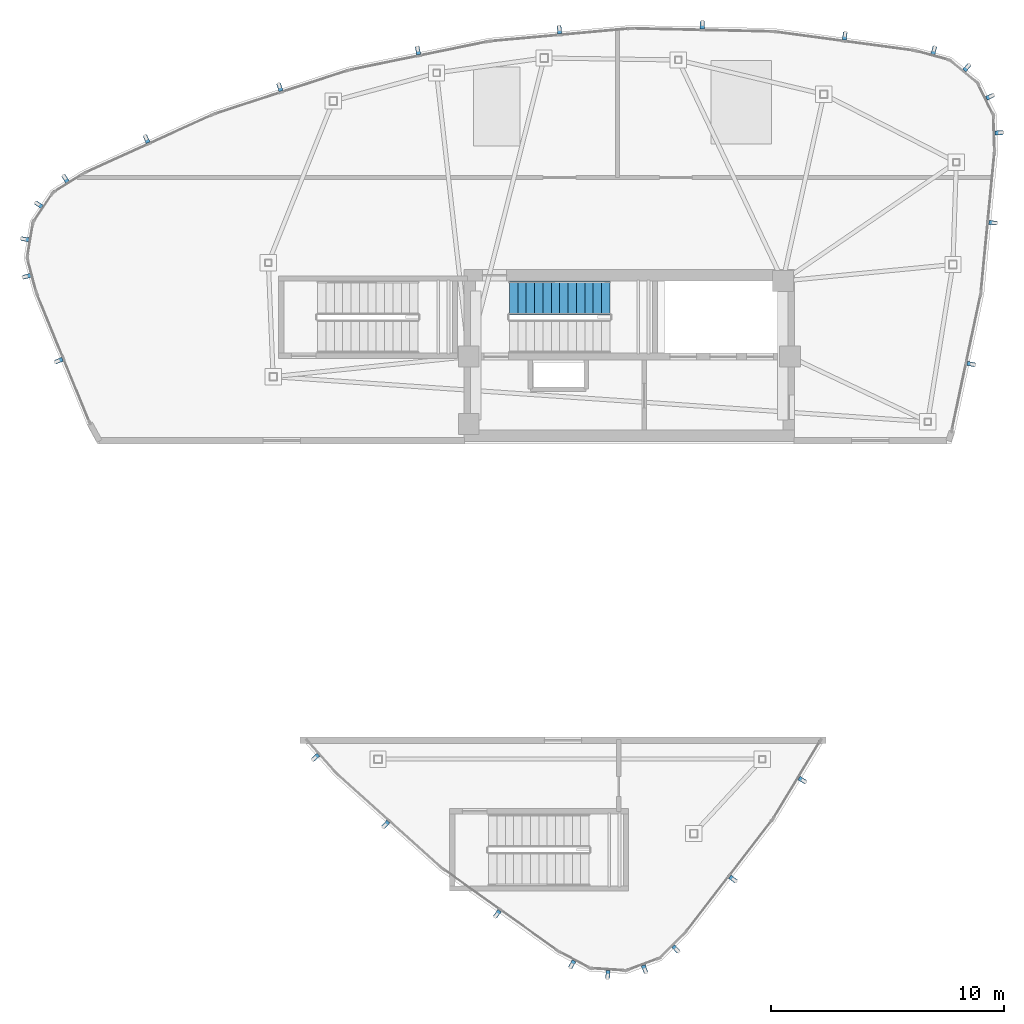
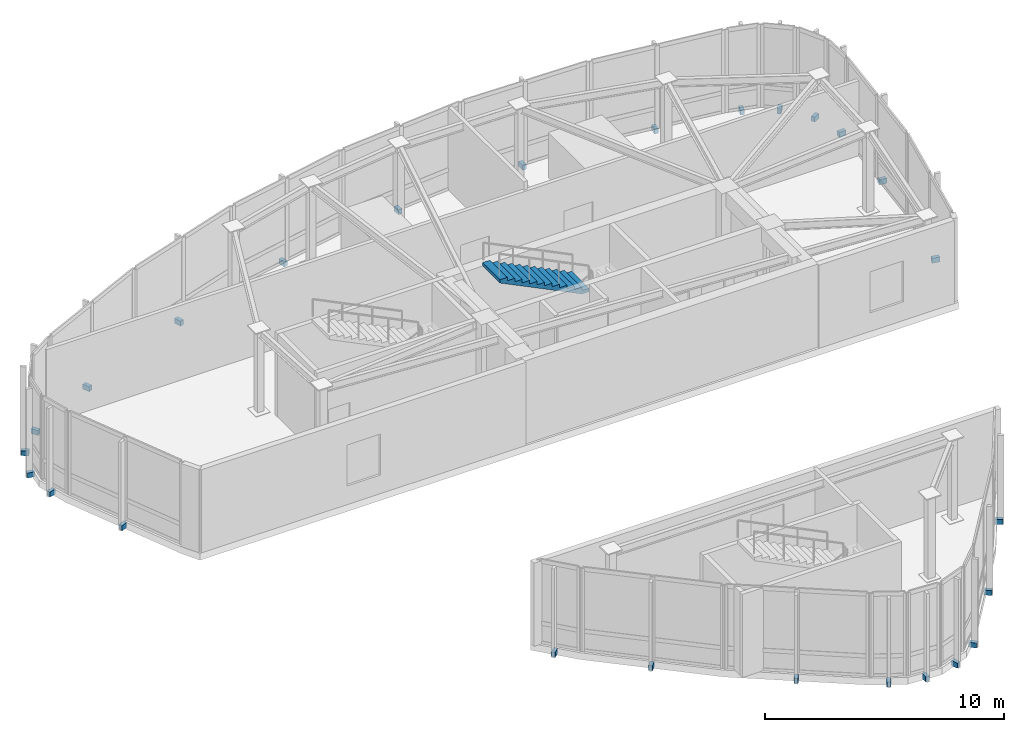
# One storey, part 12 of 16: 26 discrete accessories, 1 stair flight, 1 element without a shape of its own.
"""IFC4 building model written with IfcOpenShell, lengths in metres."""

from ifc_helpers import new_model, si_unit, direction, frame, origin, origin_2d, place, context, subcontext, project, spatial, polyline, rectangle, outline, extrude, source, transform, mapped, material, type_object, type_shapes, element, aggregate, save


model = new_model("IFC4")

# Units and contexts
model_context = context("Model", 3, precision=1e-05, world=origin(), true_north=direction((0.0, 1.0)))
body_context = subcontext(model_context, "Body", "Model", "MODEL_VIEW")
ifc_project = project(units=[si_unit("LENGTHUNIT", "METRE"), si_unit("AREAUNIT", "SQUARE_METRE"), si_unit("VOLUMEUNIT", "CUBIC_METRE"), si_unit("PLANEANGLEUNIT", "RADIAN"), si_unit("MASSUNIT", "GRAM", prefix="KILO")], contexts=[model_context])

# Site, building, storey
site_placement = place(None, origin())
site = spatial("IfcSite", under=ifc_project, at=site_placement, CompositionType="ELEMENT")
building_placement = place(site_placement, origin())
building = spatial("IfcBuilding", under=site, at=building_placement, Name="Tavelor Broadcast Tower", CompositionType="ELEMENT")
storey_placement = place(building_placement, frame((0.0, 0.0, 336.699951171875)))
storey = spatial("IfcBuildingStorey", under=building, at=storey_placement, Name="L80", CompositionType="ELEMENT", Elevation=336.699951171875)

# Stair, stair flight
ifc_material_1 = material(Name="Concrete C40/50", Category="concrete")
stair_type = type_object("IfcStairType", Name="Reinforced Concrete Protected Dogleg Stair 1450 mm", PredefinedType="HALF_TURN_STAIR", material=ifc_material_1)
stair_placement = place(storey_placement, origin())
stair = element("IfcStair", 1, at=stair_placement, inside=storey, type_object=stair_type, Name="L80 Protected Core Exit Stair ST1", PredefinedType="HALF_TURN_STAIR")
stair_flight_type = type_object("IfcStairFlightType", Name="Reinforced Concrete Stair Flight 1450 mm", PredefinedType="STRAIGHT", material=ifc_material_1)
stair_flight_placement = place(storey_placement, frame((49.169921875, 50.47509765625, 2.300048828125), z_axis=(0.0, 0.0, 1.0), x_axis=(-1.0, 0.0, 0.0)))
stair_flight = element("IfcStairFlight", 2, at=stair_flight_placement, type_object=stair_flight_type, Name="ST1 flight 2", NumberOfRisers=13, NumberOfTreads=12, PredefinedType="STRAIGHT", RiserHeight=0.176923077, TreadLength=0.36, context=body_context, shape_type="SweptSolid", body=[
    extrude(outline(polyline([(0.0, 0.0), (0.0, 0.177001953125), (0.360107421875, 0.177001953125), (0.360107421875, 0.353759765625), (0.719970703125, 0.353759765625), (0.719970703125, 0.53076171875), (1.080078125, 0.53076171875), (1.080078125, 0.707763671875), (1.43994140625, 0.707763671875), (1.43994140625, 0.884521484375), (1.800048828125, 0.884521484375), (1.800048828125, 1.0615234375), (2.159912109375, 1.0615234375), (2.159912109375, 1.238525390625), (2.52001953125, 1.238525390625), (2.52001953125, 1.415283203125), (2.8798828125, 1.415283203125), (2.8798828125, 1.59228515625), (3.239990234375, 1.59228515625), (3.239990234375, 1.769287109375), (3.60009765625, 1.769287109375), (3.60009765625, 1.946044921875), (3.9599609375, 1.946044921875), (3.9599609375, 2.123046875), (4.320068359375, 2.123046875), (4.320068359375, 2.300048828125), (4.320068359375, 1.9560546875), (0.33984375, 0.0), (0.0, 0.0)])), frame((0.0, 0.72509765625, 0.0), z_axis=(0.0, -1.0, 0.0), x_axis=(1.0, 0.0, 0.0)), (0.0, 0.0, 1.0), 1.449951171875),
])
aggregate(stair, [stair_flight])

# Discrete accessories
ifc_material_2 = material(Name="Steel S355", Category="steel")
discrete_accessory_type = type_object("IfcDiscreteAccessoryType", Name="Stainless Baguette Outrigger Support Bracket 260x180", PredefinedType="BRACKET", material=ifc_material_2)
shared_shape = source(origin(), body_context, "Body", "SweptSolid", [
    extrude(rectangle(XDim=0.179931640625, YDim=0.340087890625, at=origin_2d()), origin(), (0.0, 0.0, 1.0), 0.251953125),
])
type_shapes(discrete_accessory_type, [shared_shape])
for number, where, z_axis, x_axis, name in (
    (3, (64.692626953125, 47.6298828125, -0.301025390625), (0.0, 0.0, 1.0), (0.207058016949, 0.978328665438, 0.0), "L80 Baguette Outrigger Bracket 771"),
    (4, (65.6259765625, 53.7041015625, -0.301025390625), (0.0, 0.0, 1.0), (0.096193205494, 0.995362681246, 0.0), "L80 Baguette Outrigger Bracket 772"),
    (5, (65.894775390625, 57.572998046875, -0.301025390625), (0.0, 0.0, 1.0), (-0.034027350502, 0.999420902032, 0.0), "L80 Baguette Outrigger Bracket 773"),
    (6, (65.50537109375, 59.123046875, -0.301025390625), (0.0, 0.0, 1.0), (-0.442288690219, 0.896872741533, 0.0), "L80 Baguette Outrigger Bracket 774"),
    (7, (64.5126953125, 60.37548828125, -0.301025390625), (0.0, 0.0, 1.0), (-0.772179372467, 0.635404608684, 0.0), "L80 Baguette Outrigger Bracket 775"),
    (8, (63.09228515625, 61.108642578125, -0.301025390625), (0.0, 0.0, 1.0), (-0.965244930214, 0.261346943155, 0.0), "L80 Baguette Outrigger Bracket 776"),
    (9, (59.26416015625, 61.73046875, -0.301025390625), (0.0, 0.0, 1.0), (-0.991029909341, 0.133640258869, 0.0), "L80 Baguette Outrigger Bracket 777"),
    (10, (53.1376953125, 62.208740234375, -0.301025390625), (0.0, 0.0, 1.0), (-0.99976202708, 0.021814885035, 0.0), "L80 Baguette Outrigger Bracket 778"),
    (11, (46.995849609375, 61.997802734375, -0.301025390625), (0.0, 0.0, 1.0), (-0.995915974681, -0.090284945449, 0.0), "L80 Baguette Outrigger Bracket 779"),
    (12, (40.91650390625, 61.10009765625, -0.301025390625), (0.0, 0.0, 1.0), (-0.979505000486, -0.201419845156, 0.0), "L80 Baguette Outrigger Bracket 780"),
    (13, (34.97607421875, 59.527099609375, -0.301025390625), (0.0, 0.0, 1.0), (-0.950786485994, -0.309846829984, 0.0), "L80 Baguette Outrigger Bracket 781"),
    (14, (29.2490234375, 57.29833984375, -0.301025390625), (0.0, 0.0, 1.0), (-0.910105970685, -0.414375580993, 0.0), "L80 Baguette Outrigger Bracket 782"),
    (15, (25.76416015625, 55.596435546875, -0.301025390625), (0.0, 0.0, 1.0), (-0.848510214982, -0.529179000974, 0.0), "L80 Baguette Outrigger Bracket 783"),
    (16, (24.616455078125, 54.484130859375, -0.301025390625), (0.0, 0.0, 1.0), (-0.55557023302, -0.831469612303, 0.0), "L80 Baguette Outrigger Bracket 784"),
    (17, (24.028076171875, 52.998291015625, -0.301025390625), (0.0, 0.0, 1.0), (-0.164186846569, -0.986429257176, 0.0), "L80 Baguette Outrigger Bracket 785"),
    (18, (24.103515625, 51.401611328125, -0.301025390625), (0.0, 0.0, 1.0), (0.256289373133, -0.966600102017, 0.0), "L80 Baguette Outrigger Bracket 786"),
    (19, (25.478759765625, 47.775390625, -0.301025390625), (0.0, 0.0, 1.0), (0.379779095522, -0.925077206834, 0.0), "L80 Baguette Outrigger Bracket 787"),
    (20, (36.509765625, 30.725341796875, -0.301025390625), (0.0, 0.0, 1.0), (0.664187202975, -0.747566290977, 0.0), "L80 Baguette Outrigger Bracket 788"),
    (21, (39.53125, 27.843017578125, -0.301025390625), (0.0, 0.0, 1.0), (0.743728469045, -0.668481835454, 0.0), "L80 Baguette Outrigger Bracket 789"),
    (22, (44.32470703125, 23.997802734375, -0.301025390625), (0.0, 0.0, 1.0), (0.813912765191, -0.580987100252, 0.0), "L80 Baguette Outrigger Bracket 790"),
    (23, (47.541015625, 21.83056640625, -0.301025390625), (0.0, 0.0, 1.0), (0.882537565484, -0.470241901057, 0.0), "L80 Baguette Outrigger Bracket 791"),
    (24, (49.078125, 21.392578125, -0.301025390625), (0.0, 0.0, 1.0), (0.997858923239, -0.06540312923, 0.0), "L80 Baguette Outrigger Bracket 792"),
    (25, (50.659423828125, 21.626220703125, -0.301025390625), (0.0, 0.0, 1.0), (0.936366219035, 0.351024648492, 0.0), "L80 Baguette Outrigger Bracket 793"),
    (26, (52.00439453125, 22.48974609375, -0.301025390625), (0.0, 0.0, 1.0), (0.708955557081, 0.705253158862, 0.0), "L80 Baguette Outrigger Bracket 794"),
    (27, (54.456787109375, 25.493896484375, -0.301025390625), (0.0, 0.0, 1.0), (0.61125081382, 0.791436947965, 0.0), "L80 Baguette Outrigger Bracket 795"),
    (28, (57.440185546875, 29.74609375, -0.301025390625), (0.0, 0.0, 1.0), (0.518773258161, 0.854911870673, 0.0), "L80 Baguette Outrigger Bracket 796"),
):
    element("IfcDiscreteAccessory", number, at=place(storey_placement, frame(where, z_axis=z_axis, x_axis=x_axis)), inside=storey, type_object=discrete_accessory_type, Name=name, PredefinedType="BRACKET", context=body_context, shape_type="MappedRepresentation", body=[
        mapped(shared_shape, transform((0.0, 0.0, 0.0), scale=1.0)),
    ])

save(model, "model.ifc")
